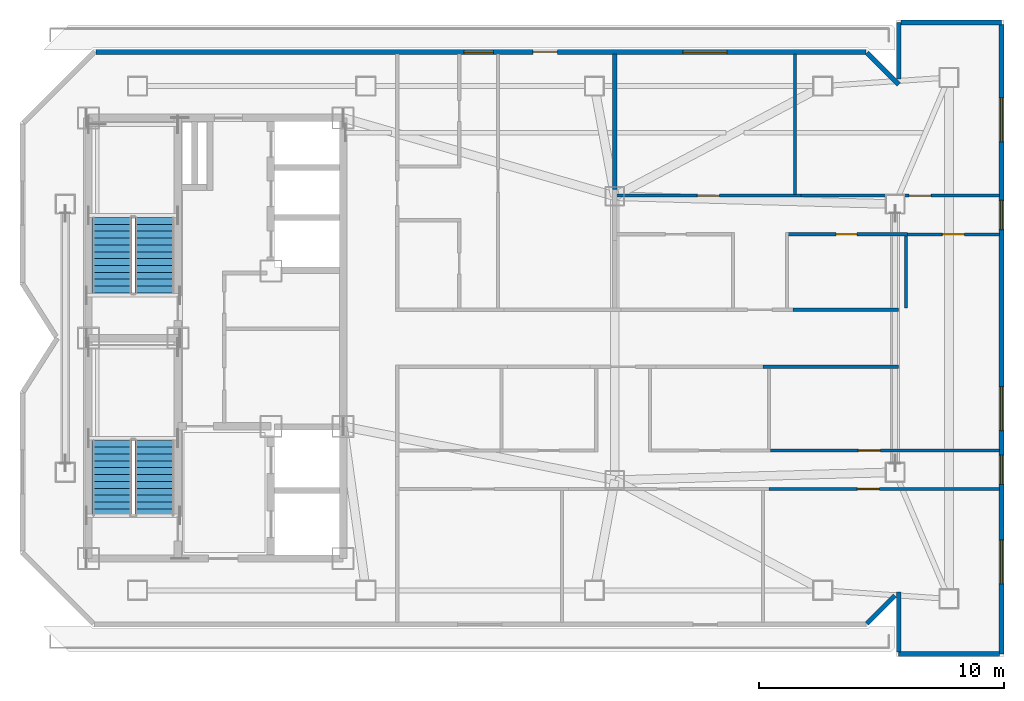
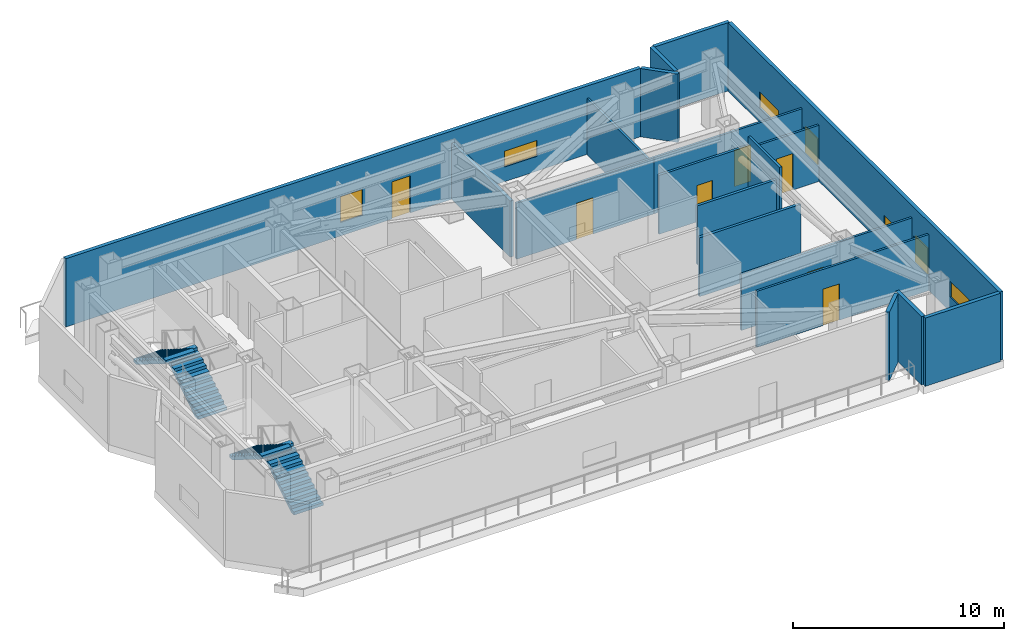
# One storey, part 6 of 10: 19 walls, 7 doors, 7 windows, 4 stair flights, 14 openings, 2 elements without a shape of their own.
"""IFC4 building model written with IfcOpenShell, lengths in metres."""

from ifc_helpers import new_model, si_unit, direction, frame, frame_2d, origin, place, context, subcontext, project, spatial, polyline, rectangle, outline, extrude, material, layer, layer_set, type_object, element, fill, aggregate, save


model = new_model("IFC4")

# Units and contexts
model_context = context("Model", 3, precision=1e-05, world=origin(), true_north=direction((0.0, 1.0)))
body_context = subcontext(model_context, "Body", "Model", "MODEL_VIEW")
ifc_project = project(units=[si_unit("LENGTHUNIT", "METRE"), si_unit("AREAUNIT", "SQUARE_METRE"), si_unit("VOLUMEUNIT", "CUBIC_METRE"), si_unit("PLANEANGLEUNIT", "RADIAN"), si_unit("MASSUNIT", "GRAM", prefix="KILO")], contexts=[model_context])

# Site, building, storey
site_placement = place(None, origin())
site = spatial("IfcSite", under=ifc_project, at=site_placement, CompositionType="ELEMENT")
building_placement = place(site_placement, origin())
building = spatial("IfcBuilding", under=site, at=building_placement, Name="Khamvora Tower", CompositionType="ELEMENT")
storey_placement = place(building_placement, frame((0.0, 0.0, 294.64990234375)))
storey = spatial("IfcBuildingStorey", under=building, at=storey_placement, Name="L75", CompositionType="ELEMENT", Elevation=294.64990234375)

# Walls
ifc_material_1 = material(Name="Fire-Rated Drywall and Steel Stud", Category="steel")
ifc_layer_1 = layer(ifc_material_1, 0.14990234375)
ifc_layer_set_1 = layer_set([ifc_layer_1], Name="Fire-Rated Drywall and Steel Stud")
wall_type_1 = type_object("IfcWallType", Name="WAL-CORR-150", PredefinedType="STANDARD", material=ifc_layer_set_1)
wall_1_placement = place(storey_placement, frame((62.090087890625, 26.8349609375, 0.0), z_axis=(0.0, 0.0, 1.0), x_axis=(-1.0, 0.0, 0.0)))
element("IfcWall", 1, at=wall_1_placement, inside=storey, type_object=wall_type_1, Name="L75 interior partition wall 007", PredefinedType="STANDARD", context=body_context, shape_type="SweptSolid", body=[
    extrude(rectangle(XDim=5.5380859375, YDim=0.14990234375, at=frame_2d((2.76904296875, 0.0))), origin(), (0.0, 0.0, 1.0), 3.406982421875),
])
wall_2_placement = place(storey_placement, frame((57.780029296875, 29.1650390625, 0.0), z_axis=(0.0, 0.0, 1.0), x_axis=(1.0, 0.0, 0.0)))
element("IfcWall", 2, at=wall_2_placement, inside=storey, type_object=wall_type_1, Name="L75 interior partition wall 021", PredefinedType="STANDARD", context=body_context, shape_type="SweptSolid", body=[
    extrude(rectangle(XDim=4.31005859375, YDim=0.14990234375, at=frame_2d((2.155029296875, 0.0))), origin(), (0.0, 0.0, 1.0), 3.406982421875),
])
ifc_material_2 = material(Name="Acoustic Double-Stud Fire Wall", Category="gypsum")
ifc_layer_2 = layer(ifc_material_2, 0.179931640625)
ifc_layer_set_2 = layer_set([ifc_layer_2], Name="Acoustic Double-Stud Fire Wall")
wall_type_2 = type_object("IfcWallType", Name="WAL-CORR-180", PredefinedType="STANDARD", material=ifc_layer_set_2)
wall_3_placement = place(storey_placement, frame((50.4951171875, 39.60791015625, 0.0), z_axis=(0.0, 0.0, 1.0), x_axis=(0.0, -1.0, 0.0)))
element("IfcWall", 3, at=wall_3_placement, inside=storey, type_object=wall_type_2, Name="L75 interior partition wall 042", PredefinedType="STANDARD", context=body_context, shape_type="SweptSolid", body=[
    extrude(rectangle(XDim=5.539794921875, YDim=0.179931640625, at=frame_2d((2.77001953125, 0.0))), origin(), (0.0, 0.0, 1.0), 3.2451171875),
])

# Wall, openings, door, windows
ifc_material_3 = material(Name="Precast concrete C40/50", Category="concrete")
ifc_layer_3 = layer(ifc_material_3, 0.199951171875)
ifc_layer_set_3 = layer_set([ifc_layer_3], Name="Precast concrete C40/50")
wall_type_3 = type_object("IfcWallType", Name="WAL-EXT-200", PredefinedType="STANDARD", material=ifc_layer_set_3)
wall_4_placement = place(storey_placement, frame((29.302001953125, 39.699951171875, 0.0), z_axis=(0.0, 0.0, 1.0), x_axis=(1.0, 0.0, 0.0)))
wall_4 = element("IfcWall", 4, at=wall_4_placement, inside=storey, type_object=wall_type_3, Name="L75 exterior facade wall 08.1", PredefinedType="STANDARD", context=body_context, shape_type="SweptSolid", body=[
    extrude(rectangle(XDim=31.45703125, YDim=0.199951171875, at=frame_2d((15.728515625, 0.0))), origin(), (0.0, 0.0, 1.0), 3.9501953125),
])
opening_1_placement = place(wall_4_placement, frame((17.85009765625, 0.0, 0.0)))
opening_1 = element("IfcOpeningElement", 5, at=opening_1_placement, cuts=wall_4, Name="Opening BD-02", PredefinedType="OPENING", context=body_context, shape_type="SweptSolid", body=[
    extrude(rectangle(XDim=1.0, YDim=2.14990234375, at=frame_2d((0.5, 1.074951171875))), frame((0.0, 0.10986328125, 0.0), z_axis=(0.0, -1.0, 0.0), x_axis=(1.0, 0.0, 0.0)), (0.0, 0.0, 1.0), 0.219970703125),
])
opening_2_placement = place(wall_4_placement, frame((15.032958984375, 0.0, 0.780029296875)))
opening_2 = element("IfcOpeningElement", 6, at=opening_2_placement, cuts=wall_4, Name="Opening WN-03", PredefinedType="OPENING", context=body_context, shape_type="SweptSolid", body=[
    extrude(rectangle(XDim=1.199951171875, YDim=1.5, at=frame_2d((0.60009765625, 0.75))), frame((0.0, 0.10986328125, 0.0), z_axis=(0.0, -1.0, 0.0), x_axis=(1.0, 0.0, 0.0)), (0.0, 0.0, 1.0), 0.219970703125),
])
opening_3_placement = place(wall_4_placement, frame((23.97900390625, 0.0, 0.85009765625)))
opening_3 = element("IfcOpeningElement", 7, at=opening_3_placement, cuts=wall_4, Name="Opening WN-09", PredefinedType="OPENING", context=body_context, shape_type="SweptSolid", body=[
    extrude(rectangle(XDim=1.800048828125, YDim=0.919921875, at=frame_2d((0.89990234375, 0.4599609375))), frame((0.0, 0.10986328125, 0.0), z_axis=(0.0, -1.0, 0.0), x_axis=(1.0, 0.0, 0.0)), (0.0, 0.0, 1.0), 0.219970703125),
])
ifc_material_4 = material(Name="Anodised Aluminium and Laminated Safety Glass", Category="aluminium")
door_type_1 = type_object("IfcDoorType", Name="DOR-BAL-1000", OperationType="NOTDEFINED", PredefinedType="DOOR", material=ifc_material_4)
door_1_placement = place(opening_1_placement, origin())
door_1 = element("IfcDoor", 8, at=door_1_placement, inside=storey, type_object=door_type_1, Name="L75 stepped roof terrace access door N", OperationType="SLIDING_TO_LEFT", OverallHeight=2.14990234375, OverallWidth=1.0, PredefinedType="DOOR", context=body_context, shape_type="SweptSolid", body=[
    extrude(rectangle(XDim=1.0, YDim=2.14990234375, at=frame_2d((0.5, 1.074951171875))), frame((0.0, 0.02490234375, 0.0), z_axis=(0.0, -1.0, 0.0), x_axis=(1.0, 0.0, 0.0)), (0.0, 0.0, 1.0), 0.050048828125),
])
fill(opening_1, door_1)
ifc_material_5 = material(Name="Low-E Laminated Double Glazing", Category="glass")
window_type_1 = type_object("IfcWindowType", Name="WIN-CLR-1800x920", PartitioningType="SINGLE_PANEL", PredefinedType="WINDOW", material=ifc_material_5)
window_1_placement = place(opening_3_placement, origin())
window_1 = element("IfcWindow", 9, at=window_1_placement, inside=storey, type_object=window_type_1, Name="L75 vision window 08.1.02", OverallHeight=0.919921875, OverallWidth=1.800048828125, PartitioningType="SINGLE_PANEL", PredefinedType="WINDOW", context=body_context, shape_type="SweptSolid", body=[
    extrude(rectangle(XDim=1.800048828125, YDim=0.919921875, at=frame_2d((0.89990234375, 0.4599609375))), frame((0.0, 0.030029296875, 0.0), z_axis=(0.0, -1.0, 0.0), x_axis=(1.0, 0.0, 0.0)), (0.0, 0.0, 1.0), 0.06005859375),
])
fill(opening_3, window_1)
window_type_2 = type_object("IfcWindowType", Name="WIN-VIS-1200x1500", PartitioningType="SINGLE_PANEL", PredefinedType="WINDOW", material=ifc_material_5)
window_2_placement = place(opening_2_placement, origin())
window_2 = element("IfcWindow", 10, at=window_2_placement, inside=storey, type_object=window_type_2, Name="L75 vision window 08.1.01", OverallHeight=1.5, OverallWidth=1.199951171875, PartitioningType="SINGLE_PANEL", PredefinedType="WINDOW", context=body_context, shape_type="SweptSolid", body=[
    extrude(rectangle(XDim=1.199951171875, YDim=1.5, at=frame_2d((0.60009765625, 0.75))), frame((0.0, 0.030029296875, 0.0), z_axis=(0.0, -1.0, 0.0), x_axis=(1.0, 0.0, 0.0)), (0.0, 0.0, 1.0), 0.06005859375),
])
fill(opening_2, window_2)

# Walls
wall_5_placement = place(storey_placement, frame((60.802978515625, 39.656005859375, 0.0), z_axis=(0.0, 0.0, 1.0), x_axis=(0.707106781187, -0.707106781187, 0.0)))
element("IfcWall", 11, at=wall_5_placement, inside=storey, type_object=wall_type_3, Name="L75 exterior facade wall 09.1", PredefinedType="STANDARD", context=body_context, shape_type="SweptSolid", body=[
    extrude(rectangle(XDim=1.83447265625, YDim=0.199951171875, at=frame_2d((0.917236328125, 0.0))), origin(), (0.0, 0.0, 1.0), 3.9501953125),
])
wall_6_placement = place(storey_placement, frame((62.10009765625, 38.590087890625, 0.0), z_axis=(0.0, 0.0, 1.0), x_axis=(0.0, 1.0, 0.0)))
element("IfcWall", 12, at=wall_6_placement, inside=storey, type_object=wall_type_3, Name="L75 exterior facade wall 10.1", PredefinedType="STANDARD", context=body_context, shape_type="SweptSolid", body=[
    extrude(rectangle(XDim=2.309814453125, YDim=0.199951171875, at=frame_2d((1.15478515625, 0.0))), origin(), (0.0, 0.0, 1.0), 3.9501953125),
])
wall_7_placement = place(storey_placement, frame((62.18994140625, 40.89990234375, 0.0), z_axis=(0.0, 0.0, 1.0), x_axis=(1.0, 0.0, 0.0)))
element("IfcWall", 13, at=wall_7_placement, inside=storey, type_object=wall_type_3, Name="L75 exterior facade wall 11.1", PredefinedType="STANDARD", context=body_context, shape_type="SweptSolid", body=[
    extrude(rectangle(XDim=4.110107421875, YDim=0.199951171875, at=frame_2d((2.05517578125, 0.0))), origin(), (0.0, 0.0, 1.0), 3.9501953125),
])

# Wall, openings, windows
wall_8_placement = place(storey_placement, frame((66.300048828125, 40.81005859375, 0.0), z_axis=(0.0, 0.0, 1.0), x_axis=(0.0, -1.0, 0.0)))
wall_8 = element("IfcWall", 14, at=wall_8_placement, inside=storey, type_object=wall_type_3, Name="L75 exterior facade wall 12.1", PredefinedType="STANDARD", context=body_context, shape_type="SweptSolid", body=[
    extrude(rectangle(XDim=25.7099609375, YDim=0.199951171875, at=frame_2d((12.85498046875, 0.0))), origin(), (0.0, 0.0, 1.0), 3.9501953125),
])
opening_4_placement = place(wall_8_placement, frame((14.783935546875, 0.0, 0.85009765625)))
opening_4 = element("IfcOpeningElement", 15, at=opening_4_placement, cuts=wall_8, Name="Opening WN-09", PredefinedType="OPENING", context=body_context, shape_type="SweptSolid", body=[
    extrude(rectangle(XDim=1.800048828125, YDim=0.919921875, at=frame_2d((0.89990234375, 0.4599609375))), frame((0.0, 0.10986328125, 0.0), z_axis=(0.0, -1.0, 0.0), x_axis=(1.0, 0.0, 0.0)), (0.0, 0.0, 1.0), 0.219970703125),
])
opening_5_placement = place(wall_8_placement, frame((17.583984375, 0.0, 0.780029296875)))
opening_5 = element("IfcOpeningElement", 16, at=opening_5_placement, cuts=wall_8, Name="Opening WN-03", PredefinedType="OPENING", context=body_context, shape_type="SweptSolid", body=[
    extrude(rectangle(XDim=1.199951171875, YDim=1.5, at=frame_2d((0.60009765625, 0.75))), frame((0.0, 0.10986328125, 0.0), z_axis=(0.0, -1.0, 0.0), x_axis=(1.0, 0.0, 0.0)), (0.0, 0.0, 1.0), 0.219970703125),
])
opening_6_placement = place(wall_8_placement, frame((21.050048828125, 0.0, 0.85009765625)))
opening_6 = element("IfcOpeningElement", 17, at=opening_6_placement, cuts=wall_8, Name="Opening WN-09", PredefinedType="OPENING", context=body_context, shape_type="SweptSolid", body=[
    extrude(rectangle(XDim=1.800048828125, YDim=0.919921875, at=frame_2d((0.89990234375, 0.4599609375))), frame((0.0, 0.10986328125, 0.0), z_axis=(0.0, -1.0, 0.0), x_axis=(1.0, 0.0, 0.0)), (0.0, 0.0, 1.0), 0.219970703125),
])
opening_7_placement = place(wall_8_placement, frame((7.176025390625, 0.0, 0.780029296875)))
opening_7 = element("IfcOpeningElement", 18, at=opening_7_placement, cuts=wall_8, Name="Opening WN-03", PredefinedType="OPENING", context=body_context, shape_type="SweptSolid", body=[
    extrude(rectangle(XDim=1.199951171875, YDim=1.5, at=frame_2d((0.60009765625, 0.75))), frame((0.0, 0.10986328125, 0.0), z_axis=(0.0, -1.0, 0.0), x_axis=(1.0, 0.0, 0.0)), (0.0, 0.0, 1.0), 0.219970703125),
])
opening_8_placement = place(wall_8_placement, frame((2.985107421875, 0.0, 0.85009765625)))
opening_8 = element("IfcOpeningElement", 19, at=opening_8_placement, cuts=wall_8, Name="Opening WN-09", PredefinedType="OPENING", context=body_context, shape_type="SweptSolid", body=[
    extrude(rectangle(XDim=1.800048828125, YDim=0.919921875, at=frame_2d((0.89990234375, 0.4599609375))), frame((0.0, 0.10986328125, 0.0), z_axis=(0.0, -1.0, 0.0), x_axis=(1.0, 0.0, 0.0)), (0.0, 0.0, 1.0), 0.219970703125),
])
window_3_placement = place(opening_4_placement, origin())
window_3 = element("IfcWindow", 20, at=window_3_placement, inside=storey, type_object=window_type_1, Name="L75 vision window 12.1.01", OverallHeight=0.919921875, OverallWidth=1.800048828125, PartitioningType="SINGLE_PANEL", PredefinedType="WINDOW", context=body_context, shape_type="SweptSolid", body=[
    extrude(rectangle(XDim=1.800048828125, YDim=0.919921875, at=frame_2d((0.89990234375, 0.4599609375))), frame((0.0, 0.030029296875, 0.0), z_axis=(0.0, -1.0, 0.0), x_axis=(1.0, 0.0, 0.0)), (0.0, 0.0, 1.0), 0.06005859375),
])
fill(opening_4, window_3)
window_4_placement = place(opening_6_placement, origin())
window_4 = element("IfcWindow", 21, at=window_4_placement, inside=storey, type_object=window_type_1, Name="L75 vision window 12.1.03", OverallHeight=0.919921875, OverallWidth=1.800048828125, PartitioningType="SINGLE_PANEL", PredefinedType="WINDOW", context=body_context, shape_type="SweptSolid", body=[
    extrude(rectangle(XDim=1.800048828125, YDim=0.919921875, at=frame_2d((0.89990234375, 0.4599609375))), frame((0.0, 0.030029296875, 0.0), z_axis=(0.0, -1.0, 0.0), x_axis=(1.0, 0.0, 0.0)), (0.0, 0.0, 1.0), 0.06005859375),
])
fill(opening_6, window_4)
window_5_placement = place(opening_8_placement, origin())
window_5 = element("IfcWindow", 22, at=window_5_placement, inside=storey, type_object=window_type_1, Name="L75 vision window 12.1.05", OverallHeight=0.919921875, OverallWidth=1.800048828125, PartitioningType="SINGLE_PANEL", PredefinedType="WINDOW", context=body_context, shape_type="SweptSolid", body=[
    extrude(rectangle(XDim=1.800048828125, YDim=0.919921875, at=frame_2d((0.89990234375, 0.4599609375))), frame((0.0, 0.030029296875, 0.0), z_axis=(0.0, -1.0, 0.0), x_axis=(1.0, 0.0, 0.0)), (0.0, 0.0, 1.0), 0.06005859375),
])
fill(opening_8, window_5)
window_6_placement = place(opening_5_placement, origin())
window_6 = element("IfcWindow", 23, at=window_6_placement, inside=storey, type_object=window_type_2, Name="L75 vision window 12.1.02", OverallHeight=1.5, OverallWidth=1.199951171875, PartitioningType="SINGLE_PANEL", PredefinedType="WINDOW", context=body_context, shape_type="SweptSolid", body=[
    extrude(rectangle(XDim=1.199951171875, YDim=1.5, at=frame_2d((0.60009765625, 0.75))), frame((0.0, 0.030029296875, 0.0), z_axis=(0.0, -1.0, 0.0), x_axis=(1.0, 0.0, 0.0)), (0.0, 0.0, 1.0), 0.06005859375),
])
fill(opening_5, window_6)
window_7_placement = place(opening_7_placement, origin())
window_7 = element("IfcWindow", 24, at=window_7_placement, inside=storey, type_object=window_type_2, Name="L75 vision window 12.1.04", OverallHeight=1.5, OverallWidth=1.199951171875, PartitioningType="SINGLE_PANEL", PredefinedType="WINDOW", context=body_context, shape_type="SweptSolid", body=[
    extrude(rectangle(XDim=1.199951171875, YDim=1.5, at=frame_2d((0.60009765625, 0.75))), frame((0.0, 0.030029296875, 0.0), z_axis=(0.0, -1.0, 0.0), x_axis=(1.0, 0.0, 0.0)), (0.0, 0.0, 1.0), 0.06005859375),
])
fill(opening_7, window_7)

# Walls
wall_9_placement = place(storey_placement, frame((66.2099609375, 15.10009765625, 0.0), z_axis=(0.0, 0.0, 1.0), x_axis=(-1.0, 0.0, 0.0)))
element("IfcWall", 25, at=wall_9_placement, inside=storey, type_object=wall_type_3, Name="L75 exterior facade wall 13.1", PredefinedType="STANDARD", context=body_context, shape_type="SweptSolid", body=[
    extrude(rectangle(XDim=4.10986328125, YDim=0.199951171875, at=frame_2d((2.054931640625, 0.0))), origin(), (0.0, 0.0, 1.0), 3.9501953125),
])
wall_10_placement = place(storey_placement, frame((62.10009765625, 15.18994140625, 0.0), z_axis=(0.0, 0.0, 1.0), x_axis=(0.0, 1.0, 0.0)))
element("IfcWall", 26, at=wall_10_placement, inside=storey, type_object=wall_type_3, Name="L75 exterior facade wall 14.1", PredefinedType="STANDARD", context=body_context, shape_type="SweptSolid", body=[
    extrude(rectangle(XDim=2.451171875, YDim=0.199951171875, at=frame_2d((1.2255859375, 0.0))), origin(), (0.0, 0.0, 1.0), 3.9501953125),
])
wall_11_placement = place(storey_placement, frame((61.93896484375, 17.47998046875, 0.0), z_axis=(0.0, 0.0, 1.0), x_axis=(-0.707106781187, -0.707106781187, 0.0)))
element("IfcWall", 27, at=wall_11_placement, inside=storey, type_object=wall_type_3, Name="L75 exterior facade wall 15.1", PredefinedType="STANDARD", context=body_context, shape_type="SweptSolid", body=[
    extrude(rectangle(XDim=1.6064453125, YDim=0.199951171875, at=frame_2d((0.80322265625, 0.0))), origin(), (0.0, 0.0, 1.0), 3.9501953125),
])

# Wall, opening, door
ifc_material_6 = material(Name="Gypsum Plasterboard Partition", Category="gypsum")
ifc_layer_4 = layer(ifc_material_6, 0.1201171875)
ifc_layer_set_4 = layer_set([ifc_layer_4], Name="Gypsum Plasterboard Partition")
wall_type_4 = type_object("IfcWallType", Name="WAL-PART-120", PredefinedType="PARTITIONING", material=ifc_layer_set_4)
wall_12_placement = place(storey_placement, frame((66.2080078125, 23.416015625, 0.0), z_axis=(0.0, 0.0, 1.0), x_axis=(-1.0, 0.0, 0.0)))
wall_12 = element("IfcWall", 28, at=wall_12_placement, inside=storey, type_object=wall_type_4, Name="L75 interior partition wall 024", PredefinedType="PARTITIONING", context=body_context, shape_type="SweptSolid", body=[
    extrude(rectangle(XDim=9.342041015625, YDim=0.1201171875, at=frame_2d((4.6708984375, 0.0))), origin(), (0.0, 0.0, 1.0), 3.2451171875),
])
opening_9_placement = place(wall_12_placement, frame((4.85888671875, 0.0, 0.0)))
opening_9 = element("IfcOpeningElement", 29, at=opening_9_placement, cuts=wall_12, Name="Opening D-RM1", PredefinedType="OPENING", context=body_context, shape_type="SweptSolid", body=[
    extrude(rectangle(XDim=0.89990234375, YDim=2.10009765625, at=frame_2d((0.449951171875, 1.050048828125))), frame((0.0, 0.070068359375, 0.0), z_axis=(0.0, -1.0, 0.0), x_axis=(1.0, 0.0, 0.0)), (0.0, 0.0, 1.0), 0.14013671875),
])
ifc_material_7 = material(Name="Powder-Coated Steel and Hardwood Leaf", Category="steel")
door_type_2 = type_object("IfcDoorType", Name="DOR-ROOM-900", OperationType="NOTDEFINED", PredefinedType="DOOR", material=ifc_material_7)
door_2_placement = place(opening_9_placement, origin())
door_2 = element("IfcDoor", 30, at=door_2_placement, inside=storey, type_object=door_type_2, Name="L75 interior door 75BW2-75BH", OperationType="SINGLE_SWING_RIGHT", OverallHeight=2.10009765625, OverallWidth=0.89990234375, PredefinedType="DOOR", context=body_context, shape_type="SweptSolid", body=[
    extrude(rectangle(XDim=0.89990234375, YDim=2.10009765625, at=frame_2d((0.449951171875, 1.050048828125))), frame((0.0, 0.02490234375, 0.0), z_axis=(0.0, -1.0, 0.0), x_axis=(1.0, 0.0, 0.0)), (0.0, 0.0, 1.0), 0.050048828125),
])
fill(opening_9, door_2)

wall_13_placement = place(storey_placement, frame((66.2080078125, 21.8359375, 0.0), z_axis=(0.0, 0.0, 1.0), x_axis=(-1.0, 0.0, 0.0)))
wall_13 = element("IfcWall", 31, at=wall_13_placement, inside=storey, type_object=wall_type_4, Name="L75 interior partition wall 032", PredefinedType="PARTITIONING", context=body_context, shape_type="SweptSolid", body=[
    extrude(rectangle(XDim=9.406005859375, YDim=0.1201171875, at=frame_2d((4.703125, 0.0))), origin(), (0.0, 0.0, 1.0), 3.2451171875),
])
opening_10_placement = place(wall_13_placement, frame((4.89599609375, 0.0, 0.0)))
opening_10 = element("IfcOpeningElement", 32, at=opening_10_placement, cuts=wall_13, Name="Opening D-RM1", PredefinedType="OPENING", context=body_context, shape_type="SweptSolid", body=[
    extrude(rectangle(XDim=0.89990234375, YDim=2.10009765625, at=frame_2d((0.449951171875, 1.050048828125))), frame((0.0, 0.070068359375, 0.0), z_axis=(0.0, -1.0, 0.0), x_axis=(1.0, 0.0, 0.0)), (0.0, 0.0, 1.0), 0.14013671875),
])
door_3_placement = place(opening_10_placement, origin())
door_3 = element("IfcDoor", 33, at=door_3_placement, inside=storey, type_object=door_type_2, Name="L75 interior door 75BH-75BR3", OperationType="SINGLE_SWING_RIGHT", OverallHeight=2.10009765625, OverallWidth=0.89990234375, PredefinedType="DOOR", context=body_context, shape_type="SweptSolid", body=[
    extrude(rectangle(XDim=0.89990234375, YDim=2.10009765625, at=frame_2d((0.449951171875, 1.050048828125))), frame((0.0, 0.02490234375, 0.0), z_axis=(0.0, -1.0, 0.0), x_axis=(1.0, 0.0, 0.0)), (0.0, 0.0, 1.0), 0.050048828125),
])
fill(opening_10, door_3)

wall_14_placement = place(storey_placement, frame((62.4609375, 32.243896484375, 0.0), z_axis=(0.0, 0.0, 1.0), x_axis=(1.0, 0.0, 0.0)))
wall_14 = element("IfcWall", 34, at=wall_14_placement, inside=storey, type_object=wall_type_4, Name="L75 interior partition wall 043", PredefinedType="PARTITIONING", context=body_context, shape_type="SweptSolid", body=[
    extrude(rectangle(XDim=3.7470703125, YDim=0.1201171875, at=frame_2d((1.87353515625, 0.0))), origin(), (0.0, 0.0, 1.0), 3.2451171875),
])
opening_11_placement = place(wall_14_placement, frame((1.423095703125, 0.0, 0.0)))
opening_11 = element("IfcOpeningElement", 35, at=opening_11_placement, cuts=wall_14, Name="Opening D-RM1", PredefinedType="OPENING", context=body_context, shape_type="SweptSolid", body=[
    extrude(rectangle(XDim=0.89990234375, YDim=2.10009765625, at=frame_2d((0.449951171875, 1.050048828125))), frame((0.0, 0.070068359375, 0.0), z_axis=(0.0, -1.0, 0.0), x_axis=(1.0, 0.0, 0.0)), (0.0, 0.0, 1.0), 0.14013671875),
])
door_4_placement = place(opening_11_placement, origin())
door_4 = element("IfcDoor", 36, at=door_4_placement, inside=storey, type_object=door_type_2, Name="L75 interior door 75DW2-75DH", OperationType="SINGLE_SWING_RIGHT", OverallHeight=2.10009765625, OverallWidth=0.89990234375, PredefinedType="DOOR", context=body_context, shape_type="SweptSolid", body=[
    extrude(rectangle(XDim=0.89990234375, YDim=2.10009765625, at=frame_2d((0.449951171875, 1.050048828125))), frame((0.0, 0.02490234375, 0.0), z_axis=(0.0, -1.0, 0.0), x_axis=(1.0, 0.0, 0.0)), (0.0, 0.0, 1.0), 0.050048828125),
])
fill(opening_11, door_4)

wall_15_placement = place(storey_placement, frame((50.576904296875, 33.823974609375, 0.0), z_axis=(0.0, 0.0, 1.0), x_axis=(1.0, 0.0, 0.0)))
wall_15 = element("IfcWall", 37, at=wall_15_placement, inside=storey, type_object=wall_type_4, Name="L75 interior partition wall 049", PredefinedType="PARTITIONING", context=body_context, shape_type="SweptSolid", body=[
    extrude(rectangle(XDim=7.528076171875, YDim=0.1201171875, at=frame_2d((3.76416015625, 0.0))), origin(), (0.0, 0.0, 1.0), 3.2451171875),
])
opening_12_placement = place(wall_15_placement, frame((3.29296875, 0.0, 0.0)))
opening_12 = element("IfcOpeningElement", 38, at=opening_12_placement, cuts=wall_15, Name="Opening D-RM1", PredefinedType="OPENING", context=body_context, shape_type="SweptSolid", body=[
    extrude(rectangle(XDim=0.89990234375, YDim=2.10009765625, at=frame_2d((0.449951171875, 1.050048828125))), frame((0.0, 0.070068359375, 0.0), z_axis=(0.0, -1.0, 0.0), x_axis=(1.0, 0.0, 0.0)), (0.0, 0.0, 1.0), 0.14013671875),
])
door_5_placement = place(opening_12_placement, origin())
door_5 = element("IfcDoor", 39, at=door_5_placement, inside=storey, type_object=door_type_2, Name="L75 interior door 75DH-75DR1", OperationType="SINGLE_SWING_LEFT", OverallHeight=2.10009765625, OverallWidth=0.89990234375, PredefinedType="DOOR", context=body_context, shape_type="SweptSolid", body=[
    extrude(rectangle(XDim=0.89990234375, YDim=2.10009765625, at=frame_2d((0.449951171875, 1.050048828125))), frame((0.0, 0.02490234375, 0.0), z_axis=(0.0, -1.0, 0.0), x_axis=(1.0, 0.0, 0.0)), (0.0, 0.0, 1.0), 0.050048828125),
])
fill(opening_12, door_5)

wall_16_placement = place(storey_placement, frame((58.10498046875, 33.823974609375, 0.0), z_axis=(0.0, 0.0, 1.0), x_axis=(1.0, 0.0, 0.0)))
wall_16 = element("IfcWall", 40, at=wall_16_placement, inside=storey, type_object=wall_type_4, Name="L75 interior partition wall 050", PredefinedType="PARTITIONING", context=body_context, shape_type="SweptSolid", body=[
    extrude(rectangle(XDim=8.10302734375, YDim=0.1201171875, at=frame_2d((4.051513671875, 0.0))), origin(), (0.0, 0.0, 1.0), 3.2451171875),
])
opening_13_placement = place(wall_16_placement, frame((4.416015625, 0.0, 0.0)))
opening_13 = element("IfcOpeningElement", 41, at=opening_13_placement, cuts=wall_16, Name="Opening D-RM1", PredefinedType="OPENING", context=body_context, shape_type="SweptSolid", body=[
    extrude(rectangle(XDim=0.89990234375, YDim=2.10009765625, at=frame_2d((0.449951171875, 1.050048828125))), frame((0.0, 0.070068359375, 0.0), z_axis=(0.0, -1.0, 0.0), x_axis=(1.0, 0.0, 0.0)), (0.0, 0.0, 1.0), 0.14013671875),
])
door_6_placement = place(opening_13_placement, origin())
door_6 = element("IfcDoor", 42, at=door_6_placement, inside=storey, type_object=door_type_2, Name="L75 interior door 75DH-75DR2", OperationType="SINGLE_SWING_RIGHT", OverallHeight=2.10009765625, OverallWidth=0.89990234375, PredefinedType="DOOR", context=body_context, shape_type="SweptSolid", body=[
    extrude(rectangle(XDim=0.89990234375, YDim=2.10009765625, at=frame_2d((0.449951171875, 1.050048828125))), frame((0.0, 0.02490234375, 0.0), z_axis=(0.0, -1.0, 0.0), x_axis=(1.0, 0.0, 0.0)), (0.0, 0.0, 1.0), 0.050048828125),
])
fill(opening_13, door_6)

# Walls
wall_17_placement = place(storey_placement, frame((57.85595703125, 39.60791015625, 0.0), z_axis=(0.0, 0.0, 1.0), x_axis=(0.0, -1.0, 0.0)))
element("IfcWall", 43, at=wall_17_placement, inside=storey, type_object=wall_type_4, Name="L75 interior partition wall 051", PredefinedType="PARTITIONING", context=body_context, shape_type="SweptSolid", body=[
    extrude(rectangle(XDim=5.72998046875, YDim=0.1201171875, at=frame_2d((2.864990234375, 0.0))), origin(), (0.0, 0.0, 1.0), 3.2451171875),
])
ifc_material_8 = material(Name="Moisture-Resistant Plasterboard Partition", Category="gypsum")
ifc_layer_5 = layer(ifc_material_8, 0.135009765625)
ifc_layer_set_5 = layer_set([ifc_layer_5], Name="Moisture-Resistant Plasterboard Partition")
wall_type_5 = type_object("IfcWallType", Name="WAL-WET-135", PredefinedType="PARTITIONING", material=ifc_layer_set_5)
wall_18_placement = place(storey_placement, frame((62.39599609375, 29.22998046875, 0.0), z_axis=(0.0, 0.0, 1.0), x_axis=(0.0, 1.0, 0.0)))
element("IfcWall", 44, at=wall_18_placement, inside=storey, type_object=wall_type_5, Name="L75 interior partition wall 044", PredefinedType="PARTITIONING", context=body_context, shape_type="SweptSolid", body=[
    extrude(rectangle(XDim=2.948974609375, YDim=0.135009765625, at=frame_2d((1.474609375, 0.0))), origin(), (0.0, 0.0, 1.0), 3.9501953125),
])

# Wall, opening, door
wall_19_placement = place(storey_placement, frame((62.4609375, 32.243896484375, 0.0), z_axis=(0.0, 0.0, 1.0), x_axis=(-1.0, 0.0, 0.0)))
wall_19 = element("IfcWall", 45, at=wall_19_placement, inside=storey, type_object=wall_type_5, Name="L75 interior partition wall 047", PredefinedType="PARTITIONING", context=body_context, shape_type="SweptSolid", body=[
    extrude(rectangle(XDim=4.994873046875, YDim=0.135009765625, at=frame_2d((2.49755859375, 0.0))), origin(), (0.0, 0.0, 1.0), 3.406982421875),
])
opening_14_placement = place(wall_19_placement, frame((2.072998046875, 0.0, 0.0)))
opening_14 = element("IfcOpeningElement", 46, at=opening_14_placement, cuts=wall_19, Name="Opening D-RM2", PredefinedType="OPENING", context=body_context, shape_type="SweptSolid", body=[
    extrude(rectangle(XDim=0.85009765625, YDim=2.10009765625, at=frame_2d((0.425048828125, 1.050048828125))), frame((0.0, 0.077392578125, 0.0), z_axis=(0.0, -1.0, 0.0), x_axis=(1.0, 0.0, 0.0)), (0.0, 0.0, 1.0), 0.155029296875),
])
door_type_3 = type_object("IfcDoorType", Name="DOR-ROOM-850", OperationType="NOTDEFINED", PredefinedType="DOOR", material=ifc_material_7)
door_7_placement = place(opening_14_placement, origin())
door_7 = element("IfcDoor", 47, at=door_7_placement, inside=storey, type_object=door_type_3, Name="L75 interior door 75DH-75DK", OperationType="SINGLE_SWING_RIGHT", OverallHeight=2.10009765625, OverallWidth=0.85009765625, PredefinedType="DOOR", context=body_context, shape_type="SweptSolid", body=[
    extrude(rectangle(XDim=0.85009765625, YDim=2.10009765625, at=frame_2d((0.425048828125, 1.050048828125))), frame((0.0, 0.02490234375, 0.0), z_axis=(0.0, -1.0, 0.0), x_axis=(1.0, 0.0, 0.0)), (0.0, 0.0, 1.0), 0.050048828125),
])
fill(opening_14, door_7)

# Stair, stair flights
ifc_material_9 = material(Name="Concrete C40/50", Category="concrete")
stair_type_1 = type_object("IfcStairType", Name="STR-ST-01", PredefinedType="HALF_TURN_STAIR", material=ifc_material_9)
stair_1_placement = place(storey_placement, origin())
stair_1 = element("IfcStair", 48, at=stair_1_placement, inside=storey, type_object=stair_type_1, Name="L75 South Tower Exit Stair ST-01", PredefinedType="HALF_TURN_STAIR")
stair_flight_type_1 = type_object("IfcStairFlightType", Name="STF-ST-01", PredefinedType="STRAIGHT", material=ifc_material_9)
stair_flight_1_placement = place(storey_placement, frame((31.699951171875, 20.75, 0.0), z_axis=(0.0, 0.0, 1.0), x_axis=(0.0, 1.0, 0.0)))
stair_flight_1 = element("IfcStairFlight", 49, at=stair_flight_1_placement, type_object=stair_flight_type_1, Name="ST-01 flight 1", NumberOfRisers=12, NumberOfTreads=11, PredefinedType="STRAIGHT", RiserHeight=0.175, TreadLength=0.28, context=body_context, shape_type="SweptSolid", body=[
    extrude(outline(polyline([(0.0, 0.0), (0.0, 0.175048828125), (0.280029296875, 0.175048828125), (0.280029296875, 0.35009765625), (0.56005859375, 0.35009765625), (0.56005859375, 0.52490234375), (0.840087890625, 0.52490234375), (0.840087890625, 0.699951171875), (1.1201171875, 0.699951171875), (1.1201171875, 0.875), (1.39990234375, 0.875), (1.39990234375, 1.050048828125), (1.679931640625, 1.050048828125), (1.679931640625, 1.22509765625), (1.9599609375, 1.22509765625), (1.9599609375, 1.39990234375), (2.239990234375, 1.39990234375), (2.239990234375, 1.574951171875), (2.52001953125, 1.574951171875), (2.52001953125, 1.75), (2.800048828125, 1.75), (2.800048828125, 1.925048828125), (3.080078125, 1.925048828125), (3.080078125, 2.10009765625), (3.080078125, 1.748291015625), (0.28271484375, 0.0), (0.0, 0.0)])), frame((0.0, 0.800048828125, 0.0), z_axis=(0.0, -1.0, 0.0), x_axis=(1.0, 0.0, 0.0)), (0.0, 0.0, 1.0), 1.60009765625),
])
stair_flight_2_placement = place(storey_placement, frame((29.949951171875, 23.830078125, 2.10009765625), z_axis=(0.0, 0.0, 1.0), x_axis=(0.0, -1.0, 0.0)))
stair_flight_2 = element("IfcStairFlight", 50, at=stair_flight_2_placement, type_object=stair_flight_type_1, Name="ST-01 flight 2", NumberOfRisers=12, NumberOfTreads=11, PredefinedType="STRAIGHT", RiserHeight=0.175, TreadLength=0.28, context=body_context, shape_type="SweptSolid", body=[
    extrude(outline(polyline([(0.0, 0.0), (0.0, 0.175048828125), (0.280029296875, 0.175048828125), (0.280029296875, 0.35009765625), (0.56005859375, 0.35009765625), (0.56005859375, 0.52490234375), (0.840087890625, 0.52490234375), (0.840087890625, 0.699951171875), (1.1201171875, 0.699951171875), (1.1201171875, 0.875), (1.39990234375, 0.875), (1.39990234375, 1.050048828125), (1.679931640625, 1.050048828125), (1.679931640625, 1.22509765625), (1.9599609375, 1.22509765625), (1.9599609375, 1.39990234375), (2.239990234375, 1.39990234375), (2.239990234375, 1.574951171875), (2.52001953125, 1.574951171875), (2.52001953125, 1.75), (2.800048828125, 1.75), (2.800048828125, 1.925048828125), (3.080078125, 1.925048828125), (3.080078125, 2.10009765625), (3.080078125, 1.748291015625), (0.28271484375, 0.0), (0.0, 0.0)])), frame((0.0, 0.800048828125, 0.0), z_axis=(0.0, -1.0, 0.0), x_axis=(1.0, 0.0, 0.0)), (0.0, 0.0, 1.0), 1.60009765625),
])
aggregate(stair_1, [stair_flight_1, stair_flight_2])

stair_type_2 = type_object("IfcStairType", Name="STR-ST-02", PredefinedType="HALF_TURN_STAIR", material=ifc_material_9)
stair_2_placement = place(storey_placement, origin())
stair_2 = element("IfcStair", 51, at=stair_2_placement, inside=storey, type_object=stair_type_2, Name="L75 North Tower Exit Stair ST-02", PredefinedType="HALF_TURN_STAIR")
stair_flight_type_2 = type_object("IfcStairFlightType", Name="STF-ST-02", PredefinedType="STRAIGHT", material=ifc_material_9)
stair_flight_3_placement = place(storey_placement, frame((31.699951171875, 29.85009765625, 0.0), z_axis=(0.0, 0.0, 1.0), x_axis=(0.0, 1.0, 0.0)))
stair_flight_3 = element("IfcStairFlight", 52, at=stair_flight_3_placement, type_object=stair_flight_type_2, Name="ST-02 flight 1", NumberOfRisers=12, NumberOfTreads=11, PredefinedType="STRAIGHT", RiserHeight=0.175, TreadLength=0.28, context=body_context, shape_type="SweptSolid", body=[
    extrude(outline(polyline([(0.0, 0.0), (0.0, 0.175048828125), (0.280029296875, 0.175048828125), (0.280029296875, 0.35009765625), (0.56005859375, 0.35009765625), (0.56005859375, 0.52490234375), (0.840087890625, 0.52490234375), (0.840087890625, 0.699951171875), (1.1201171875, 0.699951171875), (1.1201171875, 0.875), (1.39990234375, 0.875), (1.39990234375, 1.050048828125), (1.679931640625, 1.050048828125), (1.679931640625, 1.22509765625), (1.9599609375, 1.22509765625), (1.9599609375, 1.39990234375), (2.239990234375, 1.39990234375), (2.239990234375, 1.574951171875), (2.52001953125, 1.574951171875), (2.52001953125, 1.75), (2.800048828125, 1.75), (2.800048828125, 1.925048828125), (3.080078125, 1.925048828125), (3.080078125, 2.10009765625), (3.080078125, 1.748291015625), (0.28271484375, 0.0), (0.0, 0.0)])), frame((0.0, 0.800048828125, 0.0), z_axis=(0.0, -1.0, 0.0), x_axis=(1.0, 0.0, 0.0)), (0.0, 0.0, 1.0), 1.60009765625),
])
stair_flight_4_placement = place(storey_placement, frame((29.949951171875, 32.929931640625, 2.10009765625), z_axis=(0.0, 0.0, 1.0), x_axis=(0.0, -1.0, 0.0)))
stair_flight_4 = element("IfcStairFlight", 53, at=stair_flight_4_placement, type_object=stair_flight_type_2, Name="ST-02 flight 2", NumberOfRisers=12, NumberOfTreads=11, PredefinedType="STRAIGHT", RiserHeight=0.175, TreadLength=0.28, context=body_context, shape_type="SweptSolid", body=[
    extrude(outline(polyline([(0.0, 0.0), (0.0, 0.175048828125), (0.280029296875, 0.175048828125), (0.280029296875, 0.35009765625), (0.56005859375, 0.35009765625), (0.56005859375, 0.52490234375), (0.840087890625, 0.52490234375), (0.840087890625, 0.699951171875), (1.1201171875, 0.699951171875), (1.1201171875, 0.875), (1.39990234375, 0.875), (1.39990234375, 1.050048828125), (1.679931640625, 1.050048828125), (1.679931640625, 1.22509765625), (1.9599609375, 1.22509765625), (1.9599609375, 1.39990234375), (2.239990234375, 1.39990234375), (2.239990234375, 1.574951171875), (2.52001953125, 1.574951171875), (2.52001953125, 1.75), (2.800048828125, 1.75), (2.800048828125, 1.925048828125), (3.080078125, 1.925048828125), (3.080078125, 2.10009765625), (3.080078125, 1.748291015625), (0.28271484375, 0.0), (0.0, 0.0)])), frame((0.0, 0.800048828125, 0.0), z_axis=(0.0, -1.0, 0.0), x_axis=(1.0, 0.0, 0.0)), (0.0, 0.0, 1.0), 1.60009765625),
])
aggregate(stair_2, [stair_flight_3, stair_flight_4])

save(model, "model.ifc")
